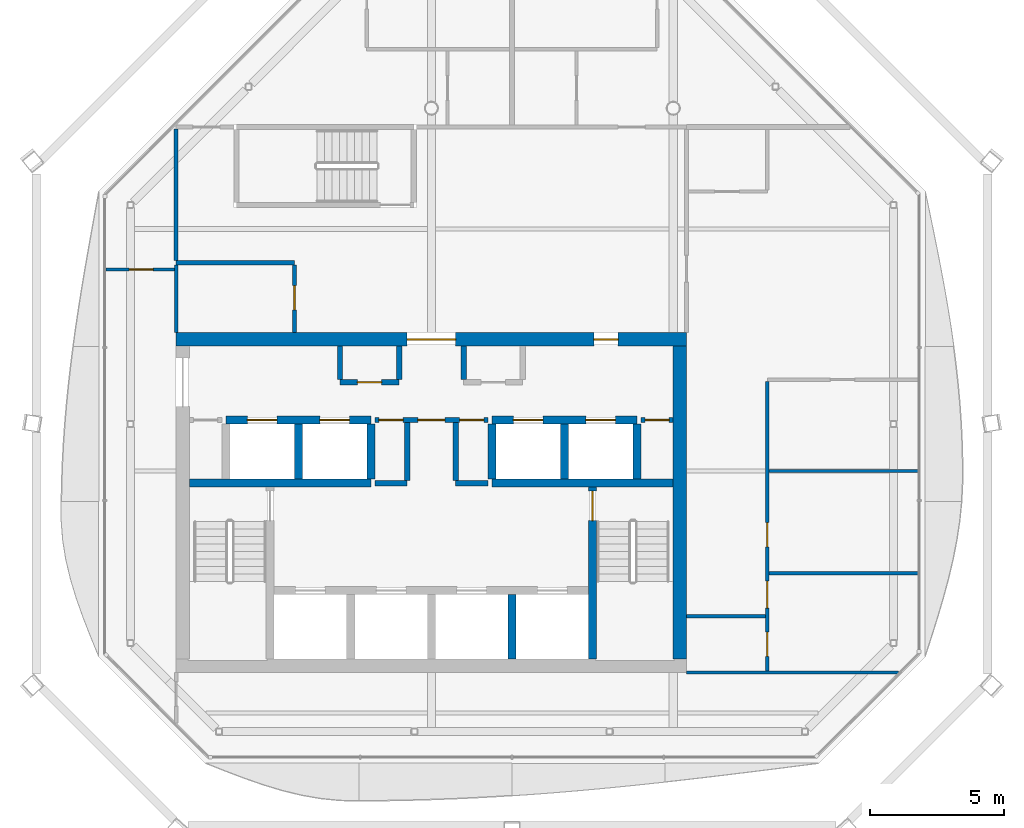
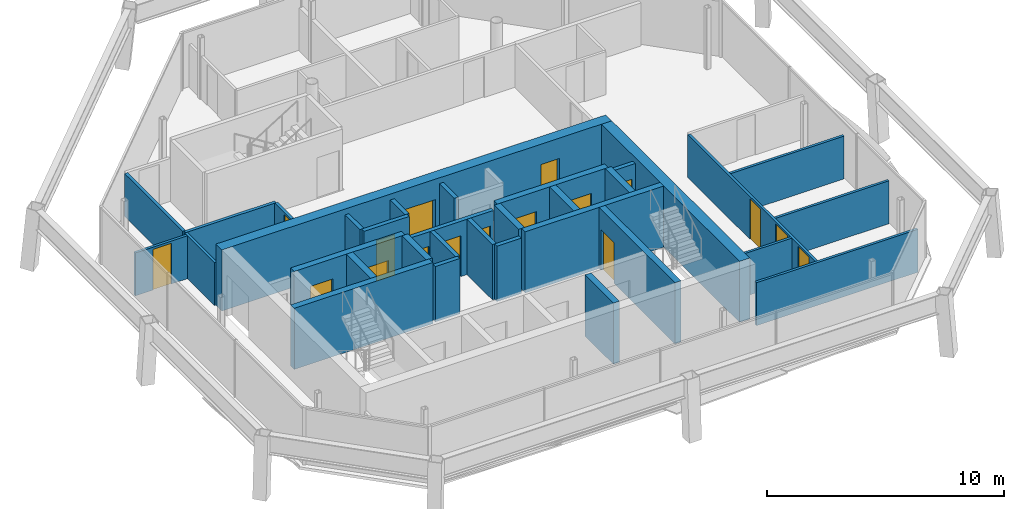
# One storey, part 10 of 14: 33 walls, 17 doors, 17 openings.
"""IFC4 building model written with IfcOpenShell, lengths in metres."""

from ifc_helpers import new_model, si_unit, direction, frame, frame_2d, origin, place, context, subcontext, project, spatial, rectangle, extrude, material, layer, layer_set, type_object, element, fill, save


model = new_model("IFC4")

# Units and contexts
model_context = context("Model", 3, precision=1e-05, world=origin(), true_north=direction((0.0, 1.0)))
body_context = subcontext(model_context, "Body", "Model", "MODEL_VIEW")
ifc_project = project(units=[si_unit("LENGTHUNIT", "METRE"), si_unit("AREAUNIT", "SQUARE_METRE"), si_unit("VOLUMEUNIT", "CUBIC_METRE"), si_unit("PLANEANGLEUNIT", "RADIAN"), si_unit("MASSUNIT", "GRAM", prefix="KILO")], contexts=[model_context])

# Site, building, storey
site_placement = place(None, origin())
site = spatial("IfcSite", under=ifc_project, at=site_placement, CompositionType="ELEMENT")
building_placement = place(site_placement, origin())
building = spatial("IfcBuilding", under=site, at=building_placement, Name="Tskaro Facet Tower", CompositionType="ELEMENT")
storey_placement = place(building_placement, frame((0.0, 0.0, 294.14990234375)))
storey = spatial("IfcBuildingStorey", under=building, at=storey_placement, Name="L79", CompositionType="ELEMENT", Elevation=294.14990234375)

# Walls
ifc_material_1 = material(Name="Concrete C60/75", Category="concrete")
ifc_layer_1 = layer(ifc_material_1, 0.300048828125, Name="Concrete C60/75")
ifc_layer_set_1 = layer_set([ifc_layer_1], Name="Concrete C60/75")
wall_type_1 = type_object("IfcWallType", Name="CORE-SHAFT", PredefinedType="SHEAR", material=ifc_layer_set_1)
for number, where, z_axis, x_axis, name in (
    (1, (-9.0, -4.949951171875, 0.0), (0.0, 0.0, 1.0), (1.0, 0.0, 0.0), "Shaft wall W005"),
    (2, (2.25, -4.949951171875, 0.0), (0.0, 0.0, 1.0), (1.0, 0.0, 0.0), "Shaft wall W008"),
):
    element("IfcWall", number, at=place(storey_placement, frame(where, z_axis=z_axis, x_axis=x_axis)), inside=storey, type_object=wall_type_1, Name=name, PredefinedType="SHEAR", context=body_context, shape_type="SweptSolid", body=[
        extrude(rectangle(XDim=6.75, YDim=0.300048828125, at=frame_2d((3.375, 0.0))), origin(), (0.0, 0.0, 1.0), 3.150146484375),
    ])

# Wall, openings, doors
wall_1_placement = place(storey_placement, frame((-7.64990234375, -2.60009765625, 0.0), z_axis=(0.0, 0.0, 1.0), x_axis=(1.0, 0.0, 0.0)))
wall_1 = element("IfcWall", 3, at=wall_1_placement, inside=storey, type_object=wall_type_1, Name="Shaft wall W011", PredefinedType="SHEAR", context=body_context, shape_type="SweptSolid", body=[
    extrude(rectangle(XDim=5.39990234375, YDim=0.300048828125, at=frame_2d((2.699951171875, 0.0))), origin(), (0.0, 0.0, 1.0), 3.150146484375),
])
opening_1_placement = place(wall_1_placement, frame((0.800048828125, 0.0, 0.0)))
opening_1 = element("IfcOpeningElement", 4, at=opening_1_placement, cuts=wall_1, Name="Opening LD-HB1", PredefinedType="OPENING", context=body_context, shape_type="SweptSolid", body=[
    extrude(rectangle(XDim=1.10009765625, YDim=2.10009765625, at=frame_2d((0.550048828125, 1.050048828125))), frame((0.0, 0.159912109375, 0.0), z_axis=(0.0, -1.0, 0.0), x_axis=(1.0, 0.0, 0.0)), (0.0, 0.0, 1.0), 0.320068359375),
])
opening_2_placement = place(wall_1_placement, frame((3.5, 0.0, 0.0)))
opening_2 = element("IfcOpeningElement", 5, at=opening_2_placement, cuts=wall_1, Name="Opening LD-HB2", PredefinedType="OPENING", context=body_context, shape_type="SweptSolid", body=[
    extrude(rectangle(XDim=1.10009765625, YDim=2.10009765625, at=frame_2d((0.550048828125, 1.050048828125))), frame((0.0, 0.159912109375, 0.0), z_axis=(0.0, -1.0, 0.0), x_axis=(1.0, 0.0, 0.0)), (0.0, 0.0, 1.0), 0.320068359375),
])
ifc_material_2 = material(Name="Stainless steel", Category="steel")
door_type_1 = type_object("IfcDoorType", Name="D-LANDING", OperationType="NOTDEFINED", PredefinedType="DOOR", material=ifc_material_2)
door_1_placement = place(opening_1_placement, origin())
door_1 = element("IfcDoor", 6, at=door_1_placement, inside=storey, type_object=door_type_1, Name="Landing door HB1", OperationType="DOUBLE_DOOR_SLIDING", OverallHeight=2.10009765625, OverallWidth=1.10009765625, PredefinedType="DOOR", context=body_context, shape_type="SweptSolid", body=[
    extrude(rectangle(XDim=1.10009765625, YDim=2.10009765625, at=frame_2d((0.550048828125, 1.050048828125))), frame((0.0, 0.02490234375, 0.0), z_axis=(0.0, -1.0, 0.0), x_axis=(1.0, 0.0, 0.0)), (0.0, 0.0, 1.0), 0.050048828125),
])
fill(opening_1, door_1)
door_2_placement = place(opening_2_placement, origin())
door_2 = element("IfcDoor", 7, at=door_2_placement, inside=storey, type_object=door_type_1, Name="Landing door HB2", OperationType="DOUBLE_DOOR_SLIDING", OverallHeight=2.10009765625, OverallWidth=1.10009765625, PredefinedType="DOOR", context=body_context, shape_type="SweptSolid", body=[
    extrude(rectangle(XDim=1.10009765625, YDim=2.10009765625, at=frame_2d((0.550048828125, 1.050048828125))), frame((0.0, 0.02490234375, 0.0), z_axis=(0.0, -1.0, 0.0), x_axis=(1.0, 0.0, 0.0)), (0.0, 0.0, 1.0), 0.050048828125),
])
fill(opening_2, door_2)

wall_2_placement = place(storey_placement, frame((2.25, -2.60009765625, 0.0), z_axis=(0.0, 0.0, 1.0), x_axis=(1.0, 0.0, 0.0)))
wall_2 = element("IfcWall", 8, at=wall_2_placement, inside=storey, type_object=wall_type_1, Name="Shaft wall W013", PredefinedType="SHEAR", context=body_context, shape_type="SweptSolid", body=[
    extrude(rectangle(XDim=5.39990234375, YDim=0.300048828125, at=frame_2d((2.699951171875, 0.0))), origin(), (0.0, 0.0, 1.0), 3.150146484375),
])
opening_3_placement = place(wall_2_placement, frame((0.800048828125, 0.0, 0.0)))
opening_3 = element("IfcOpeningElement", 9, at=opening_3_placement, cuts=wall_2, Name="Opening LD-HB3", PredefinedType="OPENING", context=body_context, shape_type="SweptSolid", body=[
    extrude(rectangle(XDim=1.10009765625, YDim=2.10009765625, at=frame_2d((0.550048828125, 1.050048828125))), frame((0.0, 0.159912109375, 0.0), z_axis=(0.0, -1.0, 0.0), x_axis=(1.0, 0.0, 0.0)), (0.0, 0.0, 1.0), 0.320068359375),
])
opening_4_placement = place(wall_2_placement, frame((3.5, 0.0, 0.0)))
opening_4 = element("IfcOpeningElement", 10, at=opening_4_placement, cuts=wall_2, Name="Opening LD-HB4", PredefinedType="OPENING", context=body_context, shape_type="SweptSolid", body=[
    extrude(rectangle(XDim=1.10009765625, YDim=2.10009765625, at=frame_2d((0.550048828125, 1.050048828125))), frame((0.0, 0.159912109375, 0.0), z_axis=(0.0, -1.0, 0.0), x_axis=(1.0, 0.0, 0.0)), (0.0, 0.0, 1.0), 0.320068359375),
])
door_3_placement = place(opening_3_placement, origin())
door_3 = element("IfcDoor", 11, at=door_3_placement, inside=storey, type_object=door_type_1, Name="Landing door HB3", OperationType="DOUBLE_DOOR_SLIDING", OverallHeight=2.10009765625, OverallWidth=1.10009765625, PredefinedType="DOOR", context=body_context, shape_type="SweptSolid", body=[
    extrude(rectangle(XDim=1.10009765625, YDim=2.10009765625, at=frame_2d((0.550048828125, 1.050048828125))), frame((0.0, 0.02490234375, 0.0), z_axis=(0.0, -1.0, 0.0), x_axis=(1.0, 0.0, 0.0)), (0.0, 0.0, 1.0), 0.050048828125),
])
fill(opening_3, door_3)
door_4_placement = place(opening_4_placement, origin())
door_4 = element("IfcDoor", 12, at=door_4_placement, inside=storey, type_object=door_type_1, Name="Landing door HB4", OperationType="DOUBLE_DOOR_SLIDING", OverallHeight=2.10009765625, OverallWidth=1.10009765625, PredefinedType="DOOR", context=body_context, shape_type="SweptSolid", body=[
    extrude(rectangle(XDim=1.10009765625, YDim=2.10009765625, at=frame_2d((0.550048828125, 1.050048828125))), frame((0.0, 0.02490234375, 0.0), z_axis=(0.0, -1.0, 0.0), x_axis=(1.0, 0.0, 0.0)), (0.0, 0.0, 1.0), 0.050048828125),
])
fill(opening_4, door_4)

# Walls
for number, where, z_axis, x_axis, name in (
    (13, (-4.949951171875, -4.800048828125, 0.0), (0.0, 0.0, 1.0), (0.0, 1.0, 0.0), "Shaft wall W034"),
    (14, (-2.25, -4.800048828125, 0.0), (0.0, 0.0, 1.0), (0.0, 1.0, 0.0), "Shaft wall W039"),
    (15, (2.25, -4.800048828125, 0.0), (0.0, 0.0, 1.0), (0.0, 1.0, 0.0), "Shaft wall W047"),
):
    element("IfcWall", number, at=place(storey_placement, frame(where, z_axis=z_axis, x_axis=x_axis)), inside=storey, type_object=wall_type_1, Name=name, PredefinedType="SHEAR", context=body_context, shape_type="SweptSolid", body=[
        extrude(rectangle(XDim=2.050048828125, YDim=0.300048828125, at=frame_2d((1.02490234375, 0.0))), origin(), (0.0, 0.0, 1.0), 3.150146484375),
    ])
wall_3_placement = place(storey_placement, frame((3.0, -11.5, 0.0), z_axis=(0.0, 0.0, 1.0), x_axis=(0.0, 1.0, 0.0)))
element("IfcWall", 16, at=wall_3_placement, inside=storey, type_object=wall_type_1, Name="Shaft wall W048", PredefinedType="SHEAR", context=body_context, shape_type="SweptSolid", body=[
    extrude(rectangle(XDim=2.39990234375, YDim=0.300048828125, at=frame_2d((1.199951171875, 0.0))), origin(), (0.0, 0.0, 1.0), 3.150146484375),
])
wall_4_placement = place(storey_placement, frame((4.949951171875, -4.800048828125, 0.0), z_axis=(0.0, 0.0, 1.0), x_axis=(0.0, 1.0, 0.0)))
element("IfcWall", 17, at=wall_4_placement, inside=storey, type_object=wall_type_1, Name="Shaft wall W052", PredefinedType="SHEAR", context=body_context, shape_type="SweptSolid", body=[
    extrude(rectangle(XDim=2.050048828125, YDim=0.300048828125, at=frame_2d((1.02490234375, 0.0))), origin(), (0.0, 0.0, 1.0), 3.150146484375),
])

# Wall, opening, door
wall_5_placement = place(storey_placement, frame((6.0, -5.10009765625, 0.0), z_axis=(0.0, 0.0, 1.0), x_axis=(0.0, -1.0, 0.0)))
wall_5 = element("IfcWall", 18, at=wall_5_placement, inside=storey, type_object=wall_type_1, Name="Shaft wall W054", PredefinedType="SHEAR", context=body_context, shape_type="SweptSolid", body=[
    extrude(rectangle(XDim=6.39990234375, YDim=0.300048828125, at=frame_2d((3.199951171875, 0.0))), origin(), (0.0, 0.0, 1.0), 3.150146484375),
])
opening_5_placement = place(wall_5_placement, frame((0.14990234375, 0.0, 0.0)))
opening_5 = element("IfcOpeningElement", 19, at=opening_5_placement, cuts=wall_5, Name="Opening ST-2-D1", PredefinedType="OPENING", context=body_context, shape_type="SweptSolid", body=[
    extrude(rectangle(XDim=1.10009765625, YDim=2.10009765625, at=frame_2d((0.550048828125, 1.050048828125))), frame((0.0, 0.159912109375, 0.0), z_axis=(0.0, -1.0, 0.0), x_axis=(1.0, 0.0, 0.0)), (0.0, 0.0, 1.0), 0.320068359375),
])
ifc_material_3 = material(Name="Steel", Category="steel")
door_type_2 = type_object("IfcDoorType", Name="D-STAIR", OperationType="NOTDEFINED", PredefinedType="DOOR", material=ifc_material_3)
door_5_placement = place(opening_5_placement, origin())
door_5 = element("IfcDoor", 20, at=door_5_placement, inside=storey, type_object=door_type_2, Name="Stair door 2", OperationType="SINGLE_SWING_RIGHT", OverallHeight=2.10009765625, OverallWidth=1.10009765625, PredefinedType="DOOR", context=body_context, shape_type="SweptSolid", body=[
    extrude(rectangle(XDim=1.10009765625, YDim=2.10009765625, at=frame_2d((0.550048828125, 1.050048828125))), frame((0.0, 0.02490234375, 0.0), z_axis=(0.0, -1.0, 0.0), x_axis=(1.0, 0.0, 0.0)), (0.0, 0.0, 1.0), 0.050048828125),
])
fill(opening_5, door_5)

# Walls
wall_6_placement = place(storey_placement, frame((7.64990234375, -4.800048828125, 0.0), z_axis=(0.0, 0.0, 1.0), x_axis=(0.0, 1.0, 0.0)))
element("IfcWall", 21, at=wall_6_placement, inside=storey, type_object=wall_type_1, Name="Shaft wall W055", PredefinedType="SHEAR", context=body_context, shape_type="SweptSolid", body=[
    extrude(rectangle(XDim=2.050048828125, YDim=0.300048828125, at=frame_2d((1.02490234375, 0.0))), origin(), (0.0, 0.0, 1.0), 3.150146484375),
])
ifc_material_4 = material(Name="Concrete C20/25", Category="concrete")
ifc_layer_2 = layer(ifc_material_4, 0.199951171875, Name="Concrete C20/25")
ifc_layer_set_2 = layer_set([ifc_layer_2], Name="Concrete C20/25")
wall_type_2 = type_object("IfcWallType", Name="CORE-WALL", PredefinedType="SOLIDWALL", material=ifc_layer_set_2)
for number, where, z_axis, x_axis, name in (
    (22, (-2.10009765625, -4.949951171875, 0.0), (0.0, 0.0, 1.0), (1.0, 0.0, 0.0), "Core room wall W006"),
    (23, (0.89990234375, -4.949951171875, 0.0), (0.0, 0.0, 1.0), (1.0, 0.0, 0.0), "Core room wall W007"),
):
    element("IfcWall", number, at=place(storey_placement, frame(where, z_axis=z_axis, x_axis=x_axis)), inside=storey, type_object=wall_type_2, Name=name, PredefinedType="SOLIDWALL", context=body_context, shape_type="SweptSolid", body=[
        extrude(rectangle(XDim=1.2001953125, YDim=0.199951171875, at=frame_2d((0.60009765625, 0.0))), origin(), (0.0, 0.0, 1.0), 2.85009765625),
    ])

# Wall, openings, doors
wall_7_placement = place(storey_placement, frame((2.10009765625, -2.60009765625, 0.0), z_axis=(0.0, 0.0, 1.0), x_axis=(-1.0, 0.0, 0.0)))
wall_7 = element("IfcWall", 24, at=wall_7_placement, inside=storey, type_object=wall_type_2, Name="Core room wall W012", PredefinedType="SOLIDWALL", context=body_context, shape_type="SweptSolid", body=[
    extrude(rectangle(XDim=4.2001953125, YDim=0.199951171875, at=frame_2d((2.10009765625, 0.0))), origin(), (0.0, 0.0, 1.0), 2.85009765625),
])
opening_6_placement = place(wall_7_placement, frame((1.60009765625, 0.0, 0.0)))
opening_6 = element("IfcOpeningElement", 25, at=opening_6_placement, cuts=wall_7, Name="Opening FL-D1", PredefinedType="OPENING", context=body_context, shape_type="SweptSolid", body=[
    extrude(rectangle(XDim=1.0, YDim=2.10009765625, at=frame_2d((0.5, 1.050048828125))), frame((0.0, 0.10986328125, 0.0), z_axis=(0.0, -1.0, 0.0), x_axis=(1.0, 0.0, 0.0)), (0.0, 0.0, 1.0), 0.219970703125),
])
opening_7_placement = place(wall_7_placement, frame((3.14990234375, 0.0, 0.0)))
opening_7 = element("IfcOpeningElement", 26, at=opening_7_placement, cuts=wall_7, Name="Opening T23-D06", PredefinedType="OPENING", context=body_context, shape_type="SweptSolid", body=[
    extrude(rectangle(XDim=0.89990234375, YDim=2.10009765625, at=frame_2d((0.449951171875, 1.050048828125))), frame((0.0, 0.10986328125, 0.0), z_axis=(0.0, -1.0, 0.0), x_axis=(1.0, 0.0, 0.0)), (0.0, 0.0, 1.0), 0.219970703125),
])
opening_8_placement = place(wall_7_placement, frame((0.14990234375, 0.0, 0.0)))
opening_8 = element("IfcOpeningElement", 27, at=opening_8_placement, cuts=wall_7, Name="Opening T23-D07", PredefinedType="OPENING", context=body_context, shape_type="SweptSolid", body=[
    extrude(rectangle(XDim=0.89990234375, YDim=2.10009765625, at=frame_2d((0.449951171875, 1.050048828125))), frame((0.0, 0.10986328125, 0.0), z_axis=(0.0, -1.0, 0.0), x_axis=(1.0, 0.0, 0.0)), (0.0, 0.0, 1.0), 0.219970703125),
])
door_type_3 = type_object("IfcDoorType", Name="D-LOBBY", OperationType="NOTDEFINED", PredefinedType="DOOR", material=ifc_material_3)
door_6_placement = place(opening_6_placement, origin())
door_6 = element("IfcDoor", 28, at=door_6_placement, inside=storey, type_object=door_type_3, Name="Lobby door FL", OperationType="SINGLE_SWING_RIGHT", OverallHeight=2.10009765625, OverallWidth=1.0, PredefinedType="DOOR", context=body_context, shape_type="SweptSolid", body=[
    extrude(rectangle(XDim=1.0, YDim=2.10009765625, at=frame_2d((0.5, 1.050048828125))), frame((0.0, 0.02490234375, 0.0), z_axis=(0.0, -1.0, 0.0), x_axis=(1.0, 0.0, 0.0)), (0.0, 0.0, 1.0), 0.050048828125),
])
fill(opening_6, door_6)
ifc_material_5 = material(Name="Timber", Category="wood")
door_type_4 = type_object("IfcDoorType", Name="D-ROOM", OperationType="NOTDEFINED", PredefinedType="DOOR", material=ifc_material_5)
door_7_placement = place(opening_7_placement, origin())
door_7 = element("IfcDoor", 29, at=door_7_placement, inside=storey, type_object=door_type_4, Name="Door T23-D06", OperationType="SINGLE_SWING_RIGHT", OverallHeight=2.10009765625, OverallWidth=0.89990234375, PredefinedType="DOOR", context=body_context, shape_type="SweptSolid", body=[
    extrude(rectangle(XDim=0.89990234375, YDim=2.10009765625, at=frame_2d((0.449951171875, 1.050048828125))), frame((0.0, 0.02490234375, 0.0), z_axis=(0.0, -1.0, 0.0), x_axis=(1.0, 0.0, 0.0)), (0.0, 0.0, 1.0), 0.050048828125),
])
fill(opening_7, door_7)
door_8_placement = place(opening_8_placement, origin())
door_8 = element("IfcDoor", 30, at=door_8_placement, inside=storey, type_object=door_type_4, Name="Door T23-D07", OperationType="SINGLE_SWING_RIGHT", OverallHeight=2.10009765625, OverallWidth=0.89990234375, PredefinedType="DOOR", context=body_context, shape_type="SweptSolid", body=[
    extrude(rectangle(XDim=0.89990234375, YDim=2.10009765625, at=frame_2d((0.449951171875, 1.050048828125))), frame((0.0, 0.02490234375, 0.0), z_axis=(0.0, -1.0, 0.0), x_axis=(1.0, 0.0, 0.0)), (0.0, 0.0, 1.0), 0.050048828125),
])
fill(opening_8, door_8)

# Wall, opening, door
wall_8_placement = place(storey_placement, frame((9.0, -2.60009765625, 0.0), z_axis=(0.0, 0.0, 1.0), x_axis=(-1.0, 0.0, 0.0)))
wall_8 = element("IfcWall", 31, at=wall_8_placement, inside=storey, type_object=wall_type_2, Name="Core room wall W014", PredefinedType="SOLIDWALL", context=body_context, shape_type="SweptSolid", body=[
    extrude(rectangle(XDim=1.199951171875, YDim=0.199951171875, at=frame_2d((0.60009765625, 0.0))), origin(), (0.0, 0.0, 1.0), 2.85009765625),
])
opening_9_placement = place(wall_8_placement, frame((0.14990234375, 0.0, 0.0)))
opening_9 = element("IfcOpeningElement", 32, at=opening_9_placement, cuts=wall_8, Name="Opening T23-D08", PredefinedType="OPENING", context=body_context, shape_type="SweptSolid", body=[
    extrude(rectangle(XDim=0.89990234375, YDim=2.10009765625, at=frame_2d((0.449951171875, 1.050048828125))), frame((0.0, 0.10986328125, 0.0), z_axis=(0.0, -1.0, 0.0), x_axis=(1.0, 0.0, 0.0)), (0.0, 0.0, 1.0), 0.219970703125),
])
door_9_placement = place(opening_9_placement, origin())
door_9 = element("IfcDoor", 33, at=door_9_placement, inside=storey, type_object=door_type_4, Name="Door T23-D08", OperationType="SINGLE_SWING_RIGHT", OverallHeight=2.10009765625, OverallWidth=0.89990234375, PredefinedType="DOOR", context=body_context, shape_type="SweptSolid", body=[
    extrude(rectangle(XDim=0.89990234375, YDim=2.10009765625, at=frame_2d((0.449951171875, 1.050048828125))), frame((0.0, 0.02490234375, 0.0), z_axis=(0.0, -1.0, 0.0), x_axis=(1.0, 0.0, 0.0)), (0.0, 0.0, 1.0), 0.050048828125),
])
fill(opening_9, door_9)

wall_9_placement = place(storey_placement, frame((-3.39990234375, -1.199951171875, 0.0), z_axis=(0.0, 0.0, 1.0), x_axis=(1.0, 0.0, 0.0)))
wall_9 = element("IfcWall", 34, at=wall_9_placement, inside=storey, type_object=wall_type_2, Name="Core room wall W015", PredefinedType="SOLIDWALL", context=body_context, shape_type="SweptSolid", body=[
    extrude(rectangle(XDim=2.199951171875, YDim=0.199951171875, at=frame_2d((1.10009765625, 0.0))), origin(), (0.0, 0.0, 1.0), 2.85009765625),
])
opening_10_placement = place(wall_9_placement, frame((0.64990234375, 0.0, 0.0)))
opening_10 = element("IfcOpeningElement", 35, at=opening_10_placement, cuts=wall_9, Name="Opening T23-D10", PredefinedType="OPENING", context=body_context, shape_type="SweptSolid", body=[
    extrude(rectangle(XDim=0.89990234375, YDim=2.10009765625, at=frame_2d((0.449951171875, 1.050048828125))), frame((0.0, 0.10986328125, 0.0), z_axis=(0.0, -1.0, 0.0), x_axis=(1.0, 0.0, 0.0)), (0.0, 0.0, 1.0), 0.219970703125),
])
door_10_placement = place(opening_10_placement, origin())
door_10 = element("IfcDoor", 36, at=door_10_placement, inside=storey, type_object=door_type_4, Name="Door T23-D10", OperationType="SINGLE_SWING_LEFT", OverallHeight=2.10009765625, OverallWidth=0.89990234375, PredefinedType="DOOR", context=body_context, shape_type="SweptSolid", body=[
    extrude(rectangle(XDim=0.89990234375, YDim=2.10009765625, at=frame_2d((0.449951171875, 1.050048828125))), frame((0.0, 0.02490234375, 0.0), z_axis=(0.0, -1.0, 0.0), x_axis=(1.0, 0.0, 0.0)), (0.0, 0.0, 1.0), 0.050048828125),
])
fill(opening_10, door_10)

# Walls
for number, where, z_axis, x_axis, name in (
    (37, (-3.39990234375, -1.10009765625, 0.0), (0.0, 0.0, 1.0), (0.0, 1.0, 0.0), "Core room wall W035"),
    (38, (-1.199951171875, -1.10009765625, 0.0), (0.0, 0.0, 1.0), (0.0, 1.0, 0.0), "Core room wall W040"),
):
    element("IfcWall", number, at=place(storey_placement, frame(where, z_axis=z_axis, x_axis=x_axis)), inside=storey, type_object=wall_type_2, Name=name, PredefinedType="SOLIDWALL", context=body_context, shape_type="SweptSolid", body=[
        extrude(rectangle(XDim=1.25, YDim=0.199951171875, at=frame_2d((0.625, 0.0))), origin(), (0.0, 0.0, 1.0), 2.85009765625),
    ])
for number, where, z_axis, x_axis, name in (
    (39, (-0.89990234375, -4.85009765625, 0.0), (0.0, 0.0, 1.0), (0.0, 1.0, 0.0), "Core room wall W041"),
    (40, (0.89990234375, -4.85009765625, 0.0), (0.0, 0.0, 1.0), (0.0, 1.0, 0.0), "Core room wall W045"),
):
    element("IfcWall", number, at=place(storey_placement, frame(where, z_axis=z_axis, x_axis=x_axis)), inside=storey, type_object=wall_type_2, Name=name, PredefinedType="SOLIDWALL", context=body_context, shape_type="SweptSolid", body=[
        extrude(rectangle(XDim=2.150146484375, YDim=0.199951171875, at=frame_2d((1.0751953125, 0.0))), origin(), (0.0, 0.0, 1.0), 2.85009765625),
    ])
wall_10_placement = place(storey_placement, frame((1.199951171875, -1.10009765625, 0.0), z_axis=(0.0, 0.0, 1.0), x_axis=(0.0, 1.0, 0.0)))
element("IfcWall", 41, at=wall_10_placement, inside=storey, type_object=wall_type_2, Name="Core room wall W046", PredefinedType="SOLIDWALL", context=body_context, shape_type="SweptSolid", body=[
    extrude(rectangle(XDim=1.25, YDim=0.199951171875, at=frame_2d((0.625, 0.0))), origin(), (0.0, 0.0, 1.0), 2.85009765625),
])

# Wall, openings, doors
ifc_material_6 = material(Name="Concrete C40/50", Category="concrete")
ifc_layer_3 = layer(ifc_material_6, 0.5, Name="Concrete C40/50")
ifc_layer_set_3 = layer_set([ifc_layer_3], Name="Concrete C40/50")
wall_type_3 = type_object("IfcWallType", Name="Core wall 500", PredefinedType="SHEAR", material=ifc_layer_set_3)
wall_11_placement = place(storey_placement, frame((-9.5, 0.39990234375, 0.0), z_axis=(0.0, 0.0, 1.0), x_axis=(1.0, 0.0, 0.0)))
wall_11 = element("IfcWall", 42, at=wall_11_placement, inside=storey, type_object=wall_type_3, Name="Core wall CW-Z3N", PredefinedType="SHEAR", context=body_context, shape_type="SweptSolid", body=[
    extrude(rectangle(XDim=19.0, YDim=0.5, at=frame_2d((9.5, 0.0))), origin(), (0.0, 0.0, 1.0), 3.150146484375),
])
opening_11_placement = place(wall_11_placement, frame((8.60009765625, 0.0, 0.0)))
opening_11 = element("IfcOpeningElement", 43, at=opening_11_placement, cuts=wall_11, Name="Opening T23-D13", PredefinedType="OPENING", context=body_context, shape_type="SweptSolid", body=[
    extrude(rectangle(XDim=1.800048828125, YDim=2.10009765625, at=frame_2d((0.89990234375, 1.050048828125))), frame((0.0, 0.260009765625, 0.0), z_axis=(0.0, -1.0, 0.0), x_axis=(1.0, 0.0, 0.0)), (0.0, 0.0, 1.0), 0.52001953125),
])
opening_12_placement = place(wall_11_placement, frame((15.550048828125, 0.0, 0.0)))
opening_12 = element("IfcOpeningElement", 44, at=opening_12_placement, cuts=wall_11, Name="Opening T23-D14", PredefinedType="OPENING", context=body_context, shape_type="SweptSolid", body=[
    extrude(rectangle(XDim=0.89990234375, YDim=2.10009765625, at=frame_2d((0.449951171875, 1.050048828125))), frame((0.0, 0.260009765625, 0.0), z_axis=(0.0, -1.0, 0.0), x_axis=(1.0, 0.0, 0.0)), (0.0, 0.0, 1.0), 0.52001953125),
])
door_type_5 = type_object("IfcDoorType", Name="D-CORE-PAIR", OperationType="NOTDEFINED", PredefinedType="DOOR", material=ifc_material_3)
door_11_placement = place(opening_11_placement, origin())
door_11 = element("IfcDoor", 45, at=door_11_placement, inside=storey, type_object=door_type_5, Name="Door T23-D13", OperationType="DOUBLE_DOOR_SINGLE_SWING", OverallHeight=2.10009765625, OverallWidth=1.800048828125, PredefinedType="DOOR", context=body_context, shape_type="SweptSolid", body=[
    extrude(rectangle(XDim=1.800048828125, YDim=2.10009765625, at=frame_2d((0.89990234375, 1.050048828125))), frame((0.0, 0.02490234375, 0.0), z_axis=(0.0, -1.0, 0.0), x_axis=(1.0, 0.0, 0.0)), (0.0, 0.0, 1.0), 0.050048828125),
])
fill(opening_11, door_11)
door_12_placement = place(opening_12_placement, origin())
door_12 = element("IfcDoor", 46, at=door_12_placement, inside=storey, type_object=door_type_4, Name="Door T23-D14", OperationType="SINGLE_SWING_LEFT", OverallHeight=2.10009765625, OverallWidth=0.89990234375, PredefinedType="DOOR", context=body_context, shape_type="SweptSolid", body=[
    extrude(rectangle(XDim=0.89990234375, YDim=2.10009765625, at=frame_2d((0.449951171875, 1.050048828125))), frame((0.0, 0.02490234375, 0.0), z_axis=(0.0, -1.0, 0.0), x_axis=(1.0, 0.0, 0.0)), (0.0, 0.0, 1.0), 0.050048828125),
])
fill(opening_12, door_12)

# Walls
wall_12_placement = place(storey_placement, frame((9.25, -11.5, 0.0), z_axis=(0.0, 0.0, 1.0), x_axis=(0.0, 1.0, 0.0)))
element("IfcWall", 47, at=wall_12_placement, inside=storey, type_object=wall_type_3, Name="Core wall CW-Z3E", PredefinedType="SHEAR", context=body_context, shape_type="SweptSolid", body=[
    extrude(rectangle(XDim=11.64990234375, YDim=0.5, at=frame_2d((5.824951171875, 0.0))), origin(), (0.0, 0.0, 1.0), 3.150146484375),
])
ifc_material_7 = material(Name="Gypsum board on steel studs", Category="steel")
ifc_layer_4 = layer(ifc_material_7, 0.125, Name="Gypsum board on steel studs")
ifc_layer_set_4 = layer_set([ifc_layer_4], Name="Gypsum board on steel studs")
wall_type_4 = type_object("IfcWallType", Name="PART", PredefinedType="PARTITIONING", material=ifc_layer_set_4)
wall_13_placement = place(storey_placement, frame((9.5, -12.0, 0.0), z_axis=(0.0, 0.0, 1.0), x_axis=(1.0, 0.0, 0.0)))
element("IfcWall", 48, at=wall_13_placement, inside=storey, type_object=wall_type_4, Name="Partition W001", PredefinedType="PARTITIONING", context=body_context, shape_type="SweptSolid", body=[
    extrude(rectangle(XDim=7.8759765625, YDim=0.125, at=frame_2d((3.93798828125, 0.0))), origin(), (0.0, 0.0, 1.0), 2.210205078125),
])
wall_14_placement = place(storey_placement, frame((9.5, -9.89990234375, 0.0), z_axis=(0.0, 0.0, 1.0), x_axis=(1.0, 0.0, 0.0)))
element("IfcWall", 49, at=wall_14_placement, inside=storey, type_object=wall_type_4, Name="Partition W002", PredefinedType="PARTITIONING", context=body_context, shape_type="SweptSolid", body=[
    extrude(rectangle(XDim=2.9375, YDim=0.125, at=frame_2d((1.46875, 0.0))), origin(), (0.0, 0.0, 1.0), 2.210205078125),
])
for number, where, z_axis, x_axis, name in (
    (50, (12.5625, -8.300048828125, 0.0), (0.0, 0.0, 1.0), (1.0, 0.0, 0.0), "Partition W004"),
    (51, (12.5625, -4.5, 0.0), (0.0, 0.0, 1.0), (1.0, 0.0, 0.0), "Partition W009"),
):
    element("IfcWall", number, at=place(storey_placement, frame(where, z_axis=z_axis, x_axis=x_axis)), inside=storey, type_object=wall_type_4, Name=name, PredefinedType="PARTITIONING", context=body_context, shape_type="SweptSolid", body=[
        extrude(rectangle(XDim=5.53759765625, YDim=0.125, at=frame_2d((2.768798828125, 0.0))), origin(), (0.0, 0.0, 1.0), 2.210205078125),
    ])

# Wall, opening, door
wall_15_placement = place(storey_placement, frame((-12.10009765625, 3.0, 0.0), z_axis=(0.0, 0.0, 1.0), x_axis=(1.0, 0.0, 0.0)))
wall_15 = element("IfcWall", 52, at=wall_15_placement, inside=storey, type_object=wall_type_4, Name="Partition W018", PredefinedType="PARTITIONING", context=body_context, shape_type="SweptSolid", body=[
    extrude(rectangle(XDim=2.53759765625, YDim=0.125, at=frame_2d((1.268798828125, 0.0))), origin(), (0.0, 0.0, 1.0), 2.210205078125),
])
opening_13_placement = place(wall_15_placement, frame((0.85009765625, 0.0, 0.0)))
opening_13 = element("IfcOpeningElement", 53, at=opening_13_placement, cuts=wall_15, Name="Opening T23-D16", PredefinedType="OPENING", context=body_context, shape_type="SweptSolid", body=[
    extrude(rectangle(XDim=0.89990234375, YDim=2.10009765625, at=frame_2d((0.449951171875, 1.050048828125))), frame((0.0, 0.072509765625, 0.0), z_axis=(0.0, -1.0, 0.0), x_axis=(1.0, 0.0, 0.0)), (0.0, 0.0, 1.0), 0.14501953125),
])
door_13_placement = place(opening_13_placement, origin())
door_13 = element("IfcDoor", 54, at=door_13_placement, inside=storey, type_object=door_type_4, Name="Door T23-D16", OperationType="SINGLE_SWING_LEFT", OverallHeight=2.10009765625, OverallWidth=0.89990234375, PredefinedType="DOOR", context=body_context, shape_type="SweptSolid", body=[
    extrude(rectangle(XDim=0.89990234375, YDim=2.10009765625, at=frame_2d((0.449951171875, 1.050048828125))), frame((0.0, 0.02490234375, 0.0), z_axis=(0.0, -1.0, 0.0), x_axis=(1.0, 0.0, 0.0)), (0.0, 0.0, 1.0), 0.050048828125),
])
fill(opening_13, door_13)

# Wall
wall_16_placement = place(storey_placement, frame((-9.5, 0.64990234375, 0.0), z_axis=(0.0, 0.0, 1.0), x_axis=(0.0, 1.0, 0.0)))
element("IfcWall", 55, at=wall_16_placement, inside=storey, type_object=wall_type_4, Name="Partition W028", PredefinedType="PARTITIONING", context=body_context, shape_type="SweptSolid", body=[
    extrude(rectangle(XDim=2.525146484375, YDim=0.125, at=frame_2d((1.2626953125, 0.0))), origin(), (0.0, 0.0, 1.0), 2.210205078125),
])

# Wall, openings, doors
wall_17_placement = place(storey_placement, frame((12.5, -1.16259765625, 0.0), z_axis=(0.0, 0.0, 1.0), x_axis=(0.0, -1.0, 0.0)))
wall_17 = element("IfcWall", 56, at=wall_17_placement, inside=storey, type_object=wall_type_4, Name="Partition W059", PredefinedType="PARTITIONING", context=body_context, shape_type="SweptSolid", body=[
    extrude(rectangle(XDim=10.77490234375, YDim=0.125, at=frame_2d((5.387451171875, 0.0))), origin(), (0.0, 0.0, 1.0), 2.210205078125),
])
opening_14_placement = place(wall_17_placement, frame((5.260009765625, 0.0, 0.0)))
opening_14 = element("IfcOpeningElement", 57, at=opening_14_placement, cuts=wall_17, Name="Opening T23-D04", PredefinedType="OPENING", context=body_context, shape_type="SweptSolid", body=[
    extrude(rectangle(XDim=0.89990234375, YDim=2.10009765625, at=frame_2d((0.449951171875, 1.050048828125))), frame((0.0, 0.072509765625, 0.0), z_axis=(0.0, -1.0, 0.0), x_axis=(1.0, 0.0, 0.0)), (0.0, 0.0, 1.0), 0.14501953125),
])
opening_15_placement = place(wall_17_placement, frame((7.4375, 0.0, 0.0)))
opening_15 = element("IfcOpeningElement", 58, at=opening_15_placement, cuts=wall_17, Name="Opening T23-D03", PredefinedType="OPENING", context=body_context, shape_type="SweptSolid", body=[
    extrude(rectangle(XDim=1.0, YDim=2.10009765625, at=frame_2d((0.5, 1.050048828125))), frame((0.0, 0.072509765625, 0.0), z_axis=(0.0, -1.0, 0.0), x_axis=(1.0, 0.0, 0.0)), (0.0, 0.0, 1.0), 0.14501953125),
])
opening_16_placement = place(wall_17_placement, frame((9.33740234375, 0.0, 0.0)))
opening_16 = element("IfcOpeningElement", 59, at=opening_16_placement, cuts=wall_17, Name="Opening T23-D02", PredefinedType="OPENING", context=body_context, shape_type="SweptSolid", body=[
    extrude(rectangle(XDim=0.89990234375, YDim=2.10009765625, at=frame_2d((0.449951171875, 1.050048828125))), frame((0.0, 0.072509765625, 0.0), z_axis=(0.0, -1.0, 0.0), x_axis=(1.0, 0.0, 0.0)), (0.0, 0.0, 1.0), 0.14501953125),
])
door_14_placement = place(opening_14_placement, origin())
door_14 = element("IfcDoor", 60, at=door_14_placement, inside=storey, type_object=door_type_4, Name="Door T23-D04", OperationType="SINGLE_SWING_RIGHT", OverallHeight=2.10009765625, OverallWidth=0.89990234375, PredefinedType="DOOR", context=body_context, shape_type="SweptSolid", body=[
    extrude(rectangle(XDim=0.89990234375, YDim=2.10009765625, at=frame_2d((0.449951171875, 1.050048828125))), frame((0.0, 0.02490234375, 0.0), z_axis=(0.0, -1.0, 0.0), x_axis=(1.0, 0.0, 0.0)), (0.0, 0.0, 1.0), 0.050048828125),
])
fill(opening_14, door_14)
door_15_placement = place(opening_16_placement, origin())
door_15 = element("IfcDoor", 61, at=door_15_placement, inside=storey, type_object=door_type_4, Name="Door T23-D02", OperationType="SINGLE_SWING_LEFT", OverallHeight=2.10009765625, OverallWidth=0.89990234375, PredefinedType="DOOR", context=body_context, shape_type="SweptSolid", body=[
    extrude(rectangle(XDim=0.89990234375, YDim=2.10009765625, at=frame_2d((0.449951171875, 1.050048828125))), frame((0.0, 0.02490234375, 0.0), z_axis=(0.0, -1.0, 0.0), x_axis=(1.0, 0.0, 0.0)), (0.0, 0.0, 1.0), 0.050048828125),
])
fill(opening_16, door_15)
door_type_6 = type_object("IfcDoorType", Name="D-ROOM-WIDE", OperationType="NOTDEFINED", PredefinedType="DOOR", material=ifc_material_5)
door_16_placement = place(opening_15_placement, origin())
door_16 = element("IfcDoor", 62, at=door_16_placement, inside=storey, type_object=door_type_6, Name="Door T23-D03", OperationType="SINGLE_SWING_RIGHT", OverallHeight=2.10009765625, OverallWidth=1.0, PredefinedType="DOOR", context=body_context, shape_type="SweptSolid", body=[
    extrude(rectangle(XDim=1.0, YDim=2.10009765625, at=frame_2d((0.5, 1.050048828125))), frame((0.0, 0.02490234375, 0.0), z_axis=(0.0, -1.0, 0.0), x_axis=(1.0, 0.0, 0.0)), (0.0, 0.0, 1.0), 0.050048828125),
])
fill(opening_15, door_16)

# Walls
ifc_layer_5 = layer(ifc_material_7, 0.14990234375, Name="Gypsum board on steel studs")
ifc_layer_set_5 = layer_set([ifc_layer_5], Name="Gypsum board on steel studs")
wall_type_5 = type_object("IfcWallType", Name="PART-CORR", PredefinedType="PARTITIONING", material=ifc_layer_set_5)
wall_18_placement = place(storey_placement, frame((-9.5, 3.25, 0.0), z_axis=(0.0, 0.0, 1.0), x_axis=(1.0, 0.0, 0.0)))
element("IfcWall", 63, at=wall_18_placement, inside=storey, type_object=wall_type_5, Name="Corridor wall W019", PredefinedType="PARTITIONING", context=body_context, shape_type="SweptSolid", body=[
    extrude(rectangle(XDim=4.39990234375, YDim=0.14990234375, at=frame_2d((2.199951171875, 0.0))), origin(), (0.0, 0.0, 1.0), 2.210205078125),
])
wall_19_placement = place(storey_placement, frame((-9.5, 3.324951171875, 0.0), z_axis=(0.0, 0.0, 1.0), x_axis=(0.0, 1.0, 0.0)))
element("IfcWall", 64, at=wall_19_placement, inside=storey, type_object=wall_type_5, Name="Corridor wall W029", PredefinedType="PARTITIONING", context=body_context, shape_type="SweptSolid", body=[
    extrude(rectangle(XDim=4.900146484375, YDim=0.14990234375, at=frame_2d((2.4501953125, 0.0))), origin(), (0.0, 0.0, 1.0), 2.210205078125),
])

# Wall, opening, door
wall_20_placement = place(storey_placement, frame((-5.10009765625, 0.64990234375, 0.0), z_axis=(0.0, 0.0, 1.0), x_axis=(0.0, 1.0, 0.0)))
wall_20 = element("IfcWall", 65, at=wall_20_placement, inside=storey, type_object=wall_type_5, Name="Corridor wall W033", PredefinedType="PARTITIONING", context=body_context, shape_type="SweptSolid", body=[
    extrude(rectangle(XDim=2.525146484375, YDim=0.14990234375, at=frame_2d((1.2626953125, 0.0))), origin(), (0.0, 0.0, 1.0), 2.210205078125),
])
opening_17_placement = place(wall_20_placement, frame((0.85009765625, 0.0, 0.0)))
opening_17 = element("IfcOpeningElement", 66, at=opening_17_placement, cuts=wall_20, Name="Opening T23-D15", PredefinedType="OPENING", context=body_context, shape_type="SweptSolid", body=[
    extrude(rectangle(XDim=0.89990234375, YDim=2.10009765625, at=frame_2d((0.449951171875, 1.050048828125))), frame((0.0, 0.0849609375, 0.0), z_axis=(0.0, -1.0, 0.0), x_axis=(1.0, 0.0, 0.0)), (0.0, 0.0, 1.0), 0.169921875),
])
door_17_placement = place(opening_17_placement, origin())
door_17 = element("IfcDoor", 67, at=door_17_placement, inside=storey, type_object=door_type_4, Name="Door T23-D15", OperationType="SINGLE_SWING_LEFT", OverallHeight=2.10009765625, OverallWidth=0.89990234375, PredefinedType="DOOR", context=body_context, shape_type="SweptSolid", body=[
    extrude(rectangle(XDim=0.89990234375, YDim=2.10009765625, at=frame_2d((0.449951171875, 1.050048828125))), frame((0.0, 0.02490234375, 0.0), z_axis=(0.0, -1.0, 0.0), x_axis=(1.0, 0.0, 0.0)), (0.0, 0.0, 1.0), 0.050048828125),
])
fill(opening_17, door_17)

save(model, "model.ifc")
